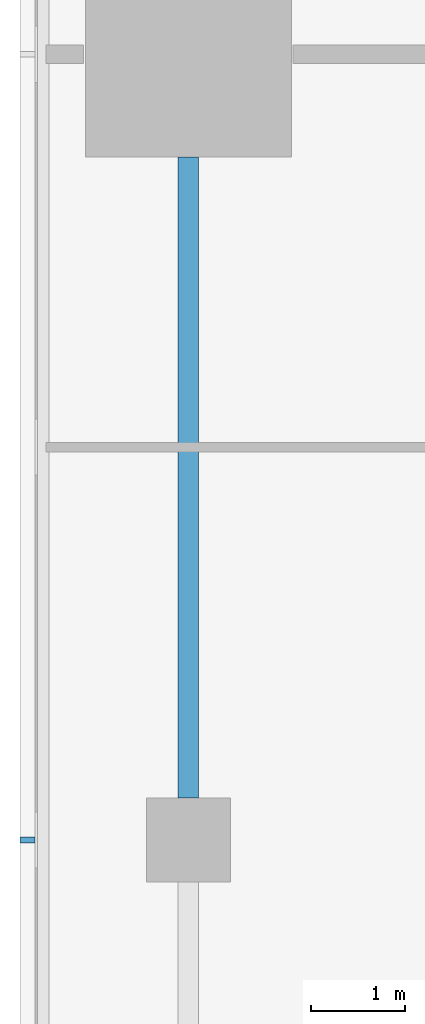
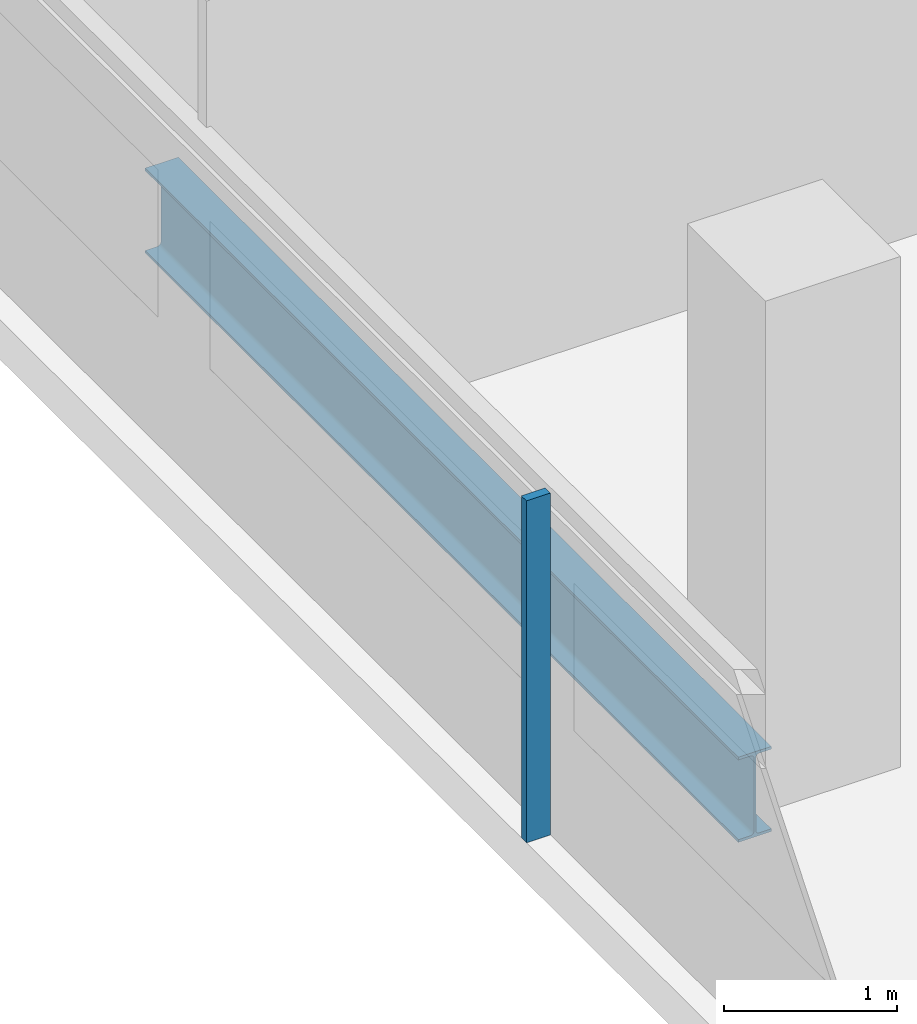
# One storey, part 6 of 25: 1 beam, 1 member, 1 element without a shape of its own.
"""IFC4 building model written with IfcOpenShell, lengths in metres."""

from ifc_helpers import new_model, si_unit, direction, frame, origin, origin_2d, place, context, subcontext, project, spatial, rectangle, i_section, extrude, material, material_profile, profile_set, type_object, element, aggregate, save


model = new_model("IFC4")

# Units and contexts
model_context = context("Model", 3, precision=1e-05, world=origin(), true_north=direction((0.0, 1.0)))
body_context = subcontext(model_context, "Body", "Model", "MODEL_VIEW")
ifc_project = project(units=[si_unit("LENGTHUNIT", "METRE"), si_unit("AREAUNIT", "SQUARE_METRE"), si_unit("VOLUMEUNIT", "CUBIC_METRE"), si_unit("PLANEANGLEUNIT", "RADIAN"), si_unit("MASSUNIT", "GRAM", prefix="KILO")], contexts=[model_context])

# Site, building, storey
site_placement = place(None, origin())
site = spatial("IfcSite", under=ifc_project, at=site_placement, CompositionType="ELEMENT")
building_placement = place(site_placement, origin())
building = spatial("IfcBuilding", under=site, at=building_placement, Name="Saffron Gate Tower", CompositionType="ELEMENT")
storey_placement = place(building_placement, frame((0.0, 0.0, 80.39990234375)))
storey = spatial("IfcBuildingStorey", under=building, at=storey_placement, Name="L19", CompositionType="ELEMENT", Elevation=80.39990234375)

# Beam
ifc_material_1 = material(Name="Structural steel S355", Category="steel")
ifc_material_profile_1 = material_profile(ifc_material_1, i_section(OverallWidth=0.219970703125, OverallDepth=0.60009765625, WebThickness=0.011962890625, FlangeThickness=0.01904296875, FilletRadius=0.02392578125, at=origin_2d()))
ifc_profile_set_1 = profile_set([ifc_material_profile_1], Name="Structural steel S355")
beam_type = type_object("IfcBeamType", Name="B16 IPE 600", PredefinedType="SPANDREL", material=ifc_profile_set_1)
beam_placement = place(storey_placement, frame((49.800048828125, 57.449951171875, -0.579833984375), z_axis=(0.0, 1.0, 0.0), x_axis=(-1.0, 0.0, 0.0)))
element("IfcBeam", 1, at=beam_placement, inside=storey, type_object=beam_type, Name="B16 SPANDREL BEAM", PredefinedType="SPANDREL", context=body_context, shape_type="SweptSolid", body=[
    extrude(i_section(OverallWidth=0.219970703125, OverallDepth=0.60009765625, WebThickness=0.011962890625, FlangeThickness=0.01904296875, FilletRadius=0.02392578125, at=origin_2d()), origin(), (0.0, 0.0, 1.0), 6.85009765625),
])

# Curtain wall, member
ifc_material_2 = material(Name="Aluminium, bronze anodised", Category="aluminium")
curtain_wall_type = type_object("IfcCurtainWallType", Name="CWS2 curtain wall side facades", PredefinedType="NOTDEFINED", material=ifc_material_2)
curtain_wall_placement = place(storey_placement, origin())
curtain_wall = element("IfcCurtainWall", 2, at=curtain_wall_placement, inside=storey, type_object=curtain_wall_type, Name="CWS2 run 10", PredefinedType="NOTDEFINED")
ifc_material_profile_2 = material_profile(ifc_material_2, rectangle(XDim=0.159912109375, YDim=0.06005859375, at=origin_2d()))
ifc_profile_set_2 = profile_set([ifc_material_profile_2], Name="Aluminium, bronze anodised")
member_type = type_object("IfcMemberType", Name="CWS2 mullion 60x160", PredefinedType="MULLION", material=ifc_profile_set_2)
member_placement = place(storey_placement, frame((48.080078125, 57.0, 0.0), z_axis=(0.0, 0.0, 1.0), x_axis=(1.0, 0.0, 0.0)))
member = element("IfcMember", 3, at=member_placement, type_object=member_type, Name="CWS2 mullion 3", PredefinedType="MULLION", context=body_context, shape_type="SweptSolid", body=[
    extrude(rectangle(XDim=0.159912109375, YDim=0.06005859375, at=origin_2d()), origin(), (0.0, 0.0, 1.0), 2.41015625),
])
aggregate(curtain_wall, [member])

save(model, "model.ifc")
